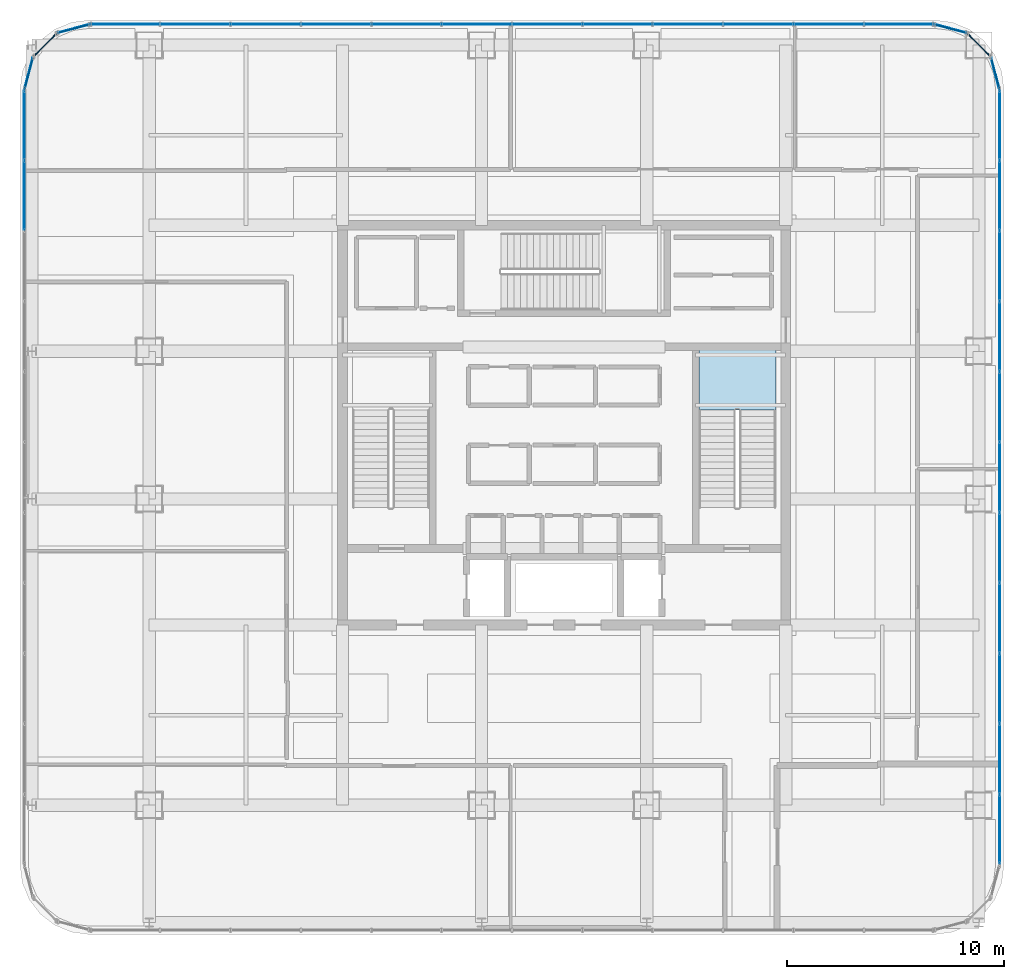
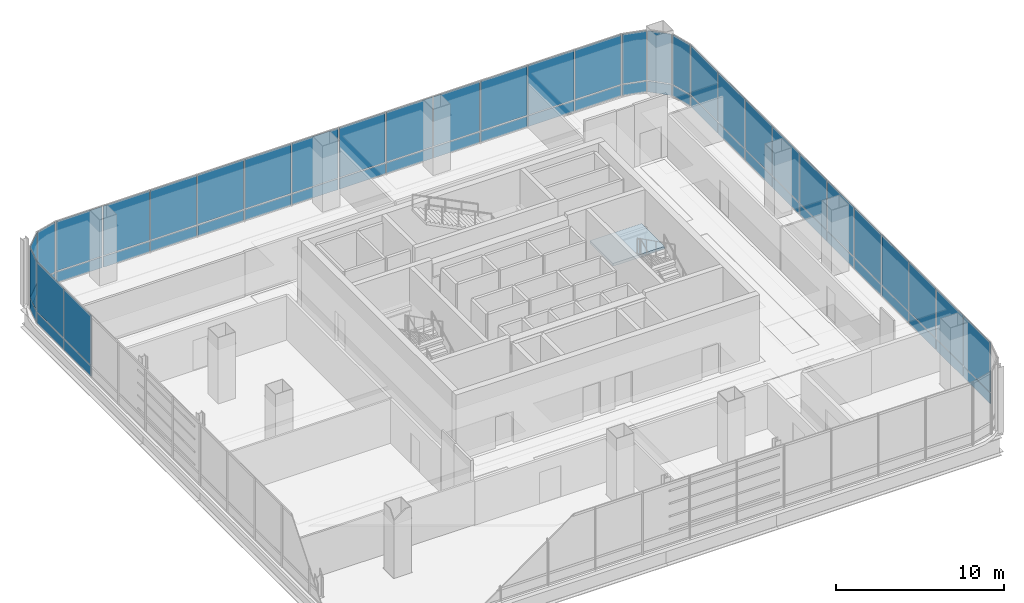
# One storey, part 35 of 45: 62 plates, 1 slab, 10 elements without a shape of their own.
"""IFC4 building model written with IfcOpenShell, lengths in metres."""

from ifc_helpers import new_model, si_unit, direction, frame, origin, origin_2d, place, context, subcontext, project, spatial, polyline, rectangle, outline, extrude, material, layer, layer_set, type_object, element, aggregate, save


model = new_model("IFC4")

# Units and contexts
model_context = context("Model", 3, precision=1e-05, world=origin(), true_north=direction((0.0, 1.0)))
body_context = subcontext(model_context, "Body", "Model", "MODEL_VIEW")
ifc_project = project(units=[si_unit("LENGTHUNIT", "METRE"), si_unit("AREAUNIT", "SQUARE_METRE"), si_unit("VOLUMEUNIT", "CUBIC_METRE"), si_unit("PLANEANGLEUNIT", "RADIAN"), si_unit("MASSUNIT", "GRAM", prefix="KILO")], contexts=[model_context])

# Site, building, storey
site_placement = place(None, origin())
site = spatial("IfcSite", under=ifc_project, at=site_placement, CompositionType="ELEMENT")
building_placement = place(site_placement, origin())
building = spatial("IfcBuilding", under=site, at=building_placement, Name="Punatoya Terracotta Tower", CompositionType="ELEMENT")
storey_placement = place(building_placement, frame((0.0, 0.0, 339.0)))
storey = spatial("IfcBuildingStorey", under=building, at=storey_placement, Name="L80", CompositionType="ELEMENT", Elevation=339.0)

# Curtain wall, plates
ifc_material_1 = material(Name="Aluminium 6063-T6 + Double Low-E Glass", Category="aluminium")
curtain_wall_type = type_object("IfcCurtainWallType", Name="CW-OBS", PredefinedType="NOTDEFINED", material=ifc_material_1)
curtain_wall_1_placement = place(storey_placement, origin())
curtain_wall_1 = element("IfcCurtainWall", 1, at=curtain_wall_1_placement, inside=storey, type_object=curtain_wall_type, Name="L80 Curtain Wall CW-L80-E05-1", PredefinedType="NOTDEFINED")
ifc_material_2 = material(Name="Laminated Observation Low-Iron Glass", Category="glass")
ifc_layer_1 = layer(ifc_material_2, 0.0380859375)
ifc_layer_set_1 = layer_set([ifc_layer_1], Name="Laminated Observation Low-Iron Glass")
plate_type_1 = type_object("IfcPlateType", Name="PLT-GLZ-38", PredefinedType="CURTAIN_PANEL", material=ifc_layer_set_1)
plate_1_placement = place(storey_placement, frame((20.050048828125, -18.615478515625, 0.89013671875), z_axis=(0.0, 0.0, 1.0), x_axis=(0.0, 1.0, 0.0)))
plate_1 = element("IfcPlate", 2, at=plate_1_placement, type_object=plate_type_1, Name="CW-L80-E05-1 Vision Glass Panel 1", PredefinedType="CURTAIN_PANEL", context=body_context, shape_type="SweptSolid", body=[
    extrude(rectangle(XDim=3.158203125, YDim=0.0380859375, at=origin_2d()), origin(), (0.0, 0.0, 1.0), 3.590087890625),
])
plate_2_placement = place(storey_placement, frame((20.050048828125, -15.372314453125, 0.89013671875), z_axis=(0.0, 0.0, 1.0), x_axis=(0.0, 1.0, 0.0)))
plate_2 = element("IfcPlate", 3, at=plate_2_placement, type_object=plate_type_1, Name="CW-L80-E05-1 Vision Glass Panel 2", PredefinedType="CURTAIN_PANEL", context=body_context, shape_type="SweptSolid", body=[
    extrude(rectangle(XDim=3.158203125, YDim=0.0380859375, at=origin_2d()), origin(), (0.0, 0.0, 1.0), 3.590087890625),
])
plate_3_placement = place(storey_placement, frame((20.050048828125, -12.129150390625, 0.89013671875), z_axis=(0.0, 0.0, 1.0), x_axis=(0.0, 1.0, 0.0)))
plate_3 = element("IfcPlate", 4, at=plate_3_placement, type_object=plate_type_1, Name="CW-L80-E05-1 Vision Glass Panel 3", PredefinedType="CURTAIN_PANEL", context=body_context, shape_type="SweptSolid", body=[
    extrude(rectangle(XDim=3.158203125, YDim=0.0380859375, at=origin_2d()), origin(), (0.0, 0.0, 1.0), 3.590087890625),
])
plate_4_placement = place(storey_placement, frame((20.050048828125, -8.885986328125, 0.89013671875), z_axis=(0.0, 0.0, 1.0), x_axis=(0.0, 1.0, 0.0)))
plate_4 = element("IfcPlate", 5, at=plate_4_placement, type_object=plate_type_1, Name="CW-L80-E05-1 Vision Glass Panel 4", PredefinedType="CURTAIN_PANEL", context=body_context, shape_type="SweptSolid", body=[
    extrude(rectangle(XDim=3.158203125, YDim=0.0380859375, at=origin_2d()), origin(), (0.0, 0.0, 1.0), 3.590087890625),
])
plate_5_placement = place(storey_placement, frame((20.050048828125, -5.64306640625, 0.89013671875), z_axis=(0.0, 0.0, 1.0), x_axis=(0.0, 1.0, 0.0)))
plate_5 = element("IfcPlate", 6, at=plate_5_placement, type_object=plate_type_1, Name="CW-L80-E05-1 Vision Glass Panel 5", PredefinedType="CURTAIN_PANEL", context=body_context, shape_type="SweptSolid", body=[
    extrude(rectangle(XDim=3.158203125, YDim=0.0380859375, at=origin_2d()), origin(), (0.0, 0.0, 1.0), 3.590087890625),
])
plate_6_placement = place(storey_placement, frame((20.050048828125, -2.39990234375, 0.89013671875), z_axis=(0.0, 0.0, 1.0), x_axis=(0.0, 1.0, 0.0)))
plate_6 = element("IfcPlate", 7, at=plate_6_placement, type_object=plate_type_1, Name="CW-L80-E05-1 Vision Glass Panel 6", PredefinedType="CURTAIN_PANEL", context=body_context, shape_type="SweptSolid", body=[
    extrude(rectangle(XDim=3.158203125, YDim=0.0380859375, at=origin_2d()), origin(), (0.0, 0.0, 1.0), 3.590087890625),
])
plate_7_placement = place(storey_placement, frame((20.050048828125, 0.843017578125, 0.89013671875), z_axis=(0.0, 0.0, 1.0), x_axis=(0.0, 1.0, 0.0)))
plate_7 = element("IfcPlate", 8, at=plate_7_placement, type_object=plate_type_1, Name="CW-L80-E05-1 Vision Glass Panel 7", PredefinedType="CURTAIN_PANEL", context=body_context, shape_type="SweptSolid", body=[
    extrude(rectangle(XDim=3.158203125, YDim=0.0380859375, at=origin_2d()), origin(), (0.0, 0.0, 1.0), 3.590087890625),
])
plate_8_placement = place(storey_placement, frame((20.050048828125, 4.086181640625, 0.89013671875), z_axis=(0.0, 0.0, 1.0), x_axis=(0.0, 1.0, 0.0)))
plate_8 = element("IfcPlate", 9, at=plate_8_placement, type_object=plate_type_1, Name="CW-L80-E05-1 Vision Glass Panel 8", PredefinedType="CURTAIN_PANEL", context=body_context, shape_type="SweptSolid", body=[
    extrude(rectangle(XDim=3.158203125, YDim=0.0380859375, at=origin_2d()), origin(), (0.0, 0.0, 1.0), 3.590087890625),
])
plate_9_placement = place(storey_placement, frame((20.050048828125, 7.3291015625, 0.89013671875), z_axis=(0.0, 0.0, 1.0), x_axis=(0.0, 1.0, 0.0)))
plate_9 = element("IfcPlate", 10, at=plate_9_placement, type_object=plate_type_1, Name="CW-L80-E05-1 Vision Glass Panel 9", PredefinedType="CURTAIN_PANEL", context=body_context, shape_type="SweptSolid", body=[
    extrude(rectangle(XDim=3.158203125, YDim=0.0380859375, at=origin_2d()), origin(), (0.0, 0.0, 1.0), 3.590087890625),
])
plate_10_placement = place(storey_placement, frame((20.050048828125, 10.572265625, 0.89013671875), z_axis=(0.0, 0.0, 1.0), x_axis=(0.0, 1.0, 0.0)))
plate_10 = element("IfcPlate", 11, at=plate_10_placement, type_object=plate_type_1, Name="CW-L80-E05-1 Vision Glass Panel 10", PredefinedType="CURTAIN_PANEL", context=body_context, shape_type="SweptSolid", body=[
    extrude(rectangle(XDim=3.158203125, YDim=0.0380859375, at=origin_2d()), origin(), (0.0, 0.0, 1.0), 3.590087890625),
])
plate_11_placement = place(storey_placement, frame((20.050048828125, 13.8154296875, 0.89013671875), z_axis=(0.0, 0.0, 1.0), x_axis=(0.0, 1.0, 0.0)))
plate_11 = element("IfcPlate", 12, at=plate_11_placement, type_object=plate_type_1, Name="CW-L80-E05-1 Vision Glass Panel 11", PredefinedType="CURTAIN_PANEL", context=body_context, shape_type="SweptSolid", body=[
    extrude(rectangle(XDim=3.158203125, YDim=0.0380859375, at=origin_2d()), origin(), (0.0, 0.0, 1.0), 3.590087890625),
])

# Curtain wall, plate
curtain_wall_2_placement = place(storey_placement, origin())
curtain_wall_2 = element("IfcCurtainWall", 13, at=curtain_wall_2_placement, inside=storey, type_object=curtain_wall_type, Name="L80 Curtain Wall CW-L80-CRN06", PredefinedType="NOTDEFINED")
plate_12_placement = place(storey_placement, frame((19.848388671875, 16.193115234375, 0.89013671875), z_axis=(0.0, 0.0, 1.0), x_axis=(-0.257741620719, 0.966213877436, 0.0)))
plate_12 = element("IfcPlate", 14, at=plate_12_placement, type_object=plate_type_1, Name="CW-L80-CRN06 Vision Glass Panel 1", PredefinedType="CURTAIN_PANEL", context=body_context, shape_type="SweptSolid", body=[
    extrude(rectangle(XDim=1.47998046875, YDim=0.0380859375, at=origin_2d()), origin(), (0.0, 0.0, 1.0), 3.590087890625),
])

curtain_wall_3_placement = place(storey_placement, origin())
curtain_wall_3 = element("IfcCurtainWall", 15, at=curtain_wall_3_placement, inside=storey, type_object=curtain_wall_type, Name="L80 Curtain Wall CW-L80-CRN07", PredefinedType="NOTDEFINED")
plate_13_placement = place(storey_placement, frame((19.097900390625, 17.497802734375, 0.89013671875), z_axis=(0.0, 0.0, 1.0), x_axis=(-0.707106781187, 0.707106781187, 0.0)))
plate_13 = element("IfcPlate", 16, at=plate_13_placement, type_object=plate_type_1, Name="CW-L80-CRN07 Vision Glass Panel 1", PredefinedType="CURTAIN_PANEL", context=body_context, shape_type="SweptSolid", body=[
    extrude(rectangle(XDim=1.467041015625, YDim=0.0380859375, at=origin_2d()), origin(), (0.0, 0.0, 1.0), 3.590087890625),
])

curtain_wall_4_placement = place(storey_placement, origin())
curtain_wall_4 = element("IfcCurtainWall", 17, at=curtain_wall_4_placement, inside=storey, type_object=curtain_wall_type, Name="L80 Curtain Wall CW-L80-CRN08", PredefinedType="NOTDEFINED")
plate_14_placement = place(storey_placement, frame((17.79296875, 18.248291015625, 0.89013671875), z_axis=(0.0, 0.0, 1.0), x_axis=(-0.966213877436, 0.257741620719, 0.0)))
plate_14 = element("IfcPlate", 18, at=plate_14_placement, type_object=plate_type_1, Name="CW-L80-CRN08 Vision Glass Panel 1", PredefinedType="CURTAIN_PANEL", context=body_context, shape_type="SweptSolid", body=[
    extrude(rectangle(XDim=1.47998046875, YDim=0.0380859375, at=origin_2d()), origin(), (0.0, 0.0, 1.0), 3.590087890625),
])

# Curtain wall, plates
curtain_wall_5_placement = place(storey_placement, origin())
curtain_wall_5 = element("IfcCurtainWall", 19, at=curtain_wall_5_placement, inside=storey, type_object=curtain_wall_type, Name="L80 Curtain Wall CW-L80-N09-1", PredefinedType="NOTDEFINED")
plate_15_placement = place(storey_placement, frame((15.417236328125, 18.449951171875, 0.89013671875), z_axis=(0.0, 0.0, 1.0), x_axis=(-1.0, 0.0, 0.0)))
plate_15 = element("IfcPlate", 20, at=plate_15_placement, type_object=plate_type_1, Name="CW-L80-N09-1 Vision Glass Panel 1", PredefinedType="CURTAIN_PANEL", context=body_context, shape_type="SweptSolid", body=[
    extrude(rectangle(XDim=3.154541015625, YDim=0.0380859375, at=origin_2d()), origin(), (0.0, 0.0, 1.0), 3.590087890625),
])
plate_16_placement = place(storey_placement, frame((12.177734375, 18.449951171875, 0.89013671875), z_axis=(0.0, 0.0, 1.0), x_axis=(-1.0, 0.0, 0.0)))
plate_16 = element("IfcPlate", 21, at=plate_16_placement, type_object=plate_type_1, Name="CW-L80-N09-1 Vision Glass Panel 2", PredefinedType="CURTAIN_PANEL", context=body_context, shape_type="SweptSolid", body=[
    extrude(rectangle(XDim=3.154541015625, YDim=0.0380859375, at=origin_2d()), origin(), (0.0, 0.0, 1.0), 3.590087890625),
])
plate_17_placement = place(storey_placement, frame((8.938232421875, 18.449951171875, 0.89013671875), z_axis=(0.0, 0.0, 1.0), x_axis=(-1.0, 0.0, 0.0)))
plate_17 = element("IfcPlate", 22, at=plate_17_placement, type_object=plate_type_1, Name="CW-L80-N09-1 Vision Glass Panel 3", PredefinedType="CURTAIN_PANEL", context=body_context, shape_type="SweptSolid", body=[
    extrude(rectangle(XDim=3.154541015625, YDim=0.0380859375, at=origin_2d()), origin(), (0.0, 0.0, 1.0), 3.590087890625),
])
plate_18_placement = place(storey_placement, frame((5.69873046875, 18.449951171875, 0.89013671875), z_axis=(0.0, 0.0, 1.0), x_axis=(-1.0, 0.0, 0.0)))
plate_18 = element("IfcPlate", 23, at=plate_18_placement, type_object=plate_type_1, Name="CW-L80-N09-1 Vision Glass Panel 4", PredefinedType="CURTAIN_PANEL", context=body_context, shape_type="SweptSolid", body=[
    extrude(rectangle(XDim=3.154541015625, YDim=0.0380859375, at=origin_2d()), origin(), (0.0, 0.0, 1.0), 3.590087890625),
])
plate_19_placement = place(storey_placement, frame((2.459228515625, 18.449951171875, 0.89013671875), z_axis=(0.0, 0.0, 1.0), x_axis=(-1.0, 0.0, 0.0)))
plate_19 = element("IfcPlate", 24, at=plate_19_placement, type_object=plate_type_1, Name="CW-L80-N09-1 Vision Glass Panel 5", PredefinedType="CURTAIN_PANEL", context=body_context, shape_type="SweptSolid", body=[
    extrude(rectangle(XDim=3.154541015625, YDim=0.0380859375, at=origin_2d()), origin(), (0.0, 0.0, 1.0), 3.590087890625),
])
plate_20_placement = place(storey_placement, frame((-0.7802734375, 18.449951171875, 0.89013671875), z_axis=(0.0, 0.0, 1.0), x_axis=(-1.0, 0.0, 0.0)))
plate_20 = element("IfcPlate", 25, at=plate_20_placement, type_object=plate_type_1, Name="CW-L80-N09-1 Vision Glass Panel 6", PredefinedType="CURTAIN_PANEL", context=body_context, shape_type="SweptSolid", body=[
    extrude(rectangle(XDim=3.154541015625, YDim=0.0380859375, at=origin_2d()), origin(), (0.0, 0.0, 1.0), 3.590087890625),
])
plate_21_placement = place(storey_placement, frame((-4.019775390625, 18.449951171875, 0.89013671875), z_axis=(0.0, 0.0, 1.0), x_axis=(-1.0, 0.0, 0.0)))
plate_21 = element("IfcPlate", 26, at=plate_21_placement, type_object=plate_type_1, Name="CW-L80-N09-1 Vision Glass Panel 7", PredefinedType="CURTAIN_PANEL", context=body_context, shape_type="SweptSolid", body=[
    extrude(rectangle(XDim=3.154541015625, YDim=0.0380859375, at=origin_2d()), origin(), (0.0, 0.0, 1.0), 3.590087890625),
])
plate_22_placement = place(storey_placement, frame((-7.25927734375, 18.449951171875, 0.89013671875), z_axis=(0.0, 0.0, 1.0), x_axis=(-1.0, 0.0, 0.0)))
plate_22 = element("IfcPlate", 27, at=plate_22_placement, type_object=plate_type_1, Name="CW-L80-N09-1 Vision Glass Panel 8", PredefinedType="CURTAIN_PANEL", context=body_context, shape_type="SweptSolid", body=[
    extrude(rectangle(XDim=3.154541015625, YDim=0.0380859375, at=origin_2d()), origin(), (0.0, 0.0, 1.0), 3.590087890625),
])
plate_23_placement = place(storey_placement, frame((-10.498779296875, 18.449951171875, 0.89013671875), z_axis=(0.0, 0.0, 1.0), x_axis=(-1.0, 0.0, 0.0)))
plate_23 = element("IfcPlate", 28, at=plate_23_placement, type_object=plate_type_1, Name="CW-L80-N09-1 Vision Glass Panel 9", PredefinedType="CURTAIN_PANEL", context=body_context, shape_type="SweptSolid", body=[
    extrude(rectangle(XDim=3.154541015625, YDim=0.0380859375, at=origin_2d()), origin(), (0.0, 0.0, 1.0), 3.590087890625),
])
plate_24_placement = place(storey_placement, frame((-13.73828125, 18.449951171875, 0.89013671875), z_axis=(0.0, 0.0, 1.0), x_axis=(-1.0, 0.0, 0.0)))
plate_24 = element("IfcPlate", 29, at=plate_24_placement, type_object=plate_type_1, Name="CW-L80-N09-1 Vision Glass Panel 10", PredefinedType="CURTAIN_PANEL", context=body_context, shape_type="SweptSolid", body=[
    extrude(rectangle(XDim=3.154541015625, YDim=0.0380859375, at=origin_2d()), origin(), (0.0, 0.0, 1.0), 3.590087890625),
])
plate_25_placement = place(storey_placement, frame((-16.977783203125, 18.449951171875, 0.89013671875), z_axis=(0.0, 0.0, 1.0), x_axis=(-1.0, 0.0, 0.0)))
plate_25 = element("IfcPlate", 30, at=plate_25_placement, type_object=plate_type_1, Name="CW-L80-N09-1 Vision Glass Panel 11", PredefinedType="CURTAIN_PANEL", context=body_context, shape_type="SweptSolid", body=[
    extrude(rectangle(XDim=3.154541015625, YDim=0.0380859375, at=origin_2d()), origin(), (0.0, 0.0, 1.0), 3.590087890625),
])
plate_26_placement = place(storey_placement, frame((-20.21728515625, 18.449951171875, 0.89013671875), z_axis=(0.0, 0.0, 1.0), x_axis=(-1.0, 0.0, 0.0)))
plate_26 = element("IfcPlate", 31, at=plate_26_placement, type_object=plate_type_1, Name="CW-L80-N09-1 Vision Glass Panel 12", PredefinedType="CURTAIN_PANEL", context=body_context, shape_type="SweptSolid", body=[
    extrude(rectangle(XDim=3.154541015625, YDim=0.0380859375, at=origin_2d()), origin(), (0.0, 0.0, 1.0), 3.590087890625),
])

# Curtain wall, plate
curtain_wall_6_placement = place(storey_placement, origin())
curtain_wall_6 = element("IfcCurtainWall", 32, at=curtain_wall_6_placement, inside=storey, type_object=curtain_wall_type, Name="L80 Curtain Wall CW-L80-CRN10", PredefinedType="NOTDEFINED")
plate_27_placement = place(storey_placement, frame((-22.593017578125, 18.248291015625, 0.89013671875), z_axis=(0.0, 0.0, 1.0), x_axis=(-0.966213877436, -0.257741620719, 0.0)))
plate_27 = element("IfcPlate", 33, at=plate_27_placement, type_object=plate_type_1, Name="CW-L80-CRN10 Vision Glass Panel 1", PredefinedType="CURTAIN_PANEL", context=body_context, shape_type="SweptSolid", body=[
    extrude(rectangle(XDim=1.47998046875, YDim=0.0380859375, at=origin_2d()), origin(), (0.0, 0.0, 1.0), 3.590087890625),
])

curtain_wall_7_placement = place(storey_placement, origin())
curtain_wall_7 = element("IfcCurtainWall", 34, at=curtain_wall_7_placement, inside=storey, type_object=curtain_wall_type, Name="L80 Curtain Wall CW-L80-CRN11", PredefinedType="NOTDEFINED")
plate_28_placement = place(storey_placement, frame((-23.89794921875, 17.497802734375, 0.89013671875), z_axis=(0.0, 0.0, 1.0), x_axis=(-0.707106781187, -0.707106781187, 0.0)))
plate_28 = element("IfcPlate", 35, at=plate_28_placement, type_object=plate_type_1, Name="CW-L80-CRN11 Vision Glass Panel 1", PredefinedType="CURTAIN_PANEL", context=body_context, shape_type="SweptSolid", body=[
    extrude(rectangle(XDim=1.467041015625, YDim=0.0380859375, at=origin_2d()), origin(), (0.0, 0.0, 1.0), 3.590087890625),
])

curtain_wall_8_placement = place(storey_placement, origin())
curtain_wall_8 = element("IfcCurtainWall", 36, at=curtain_wall_8_placement, inside=storey, type_object=curtain_wall_type, Name="L80 Curtain Wall CW-L80-CRN12", PredefinedType="NOTDEFINED")
plate_29_placement = place(storey_placement, frame((-24.648193359375, 16.193115234375, 0.89013671875), z_axis=(0.0, 0.0, 1.0), x_axis=(-0.257741620719, -0.966213877436, 0.0)))
plate_29 = element("IfcPlate", 37, at=plate_29_placement, type_object=plate_type_1, Name="CW-L80-CRN12 Vision Glass Panel 1", PredefinedType="CURTAIN_PANEL", context=body_context, shape_type="SweptSolid", body=[
    extrude(rectangle(XDim=1.47998046875, YDim=0.0380859375, at=origin_2d()), origin(), (0.0, 0.0, 1.0), 3.590087890625),
])

# Curtain wall, plates
curtain_wall_9_placement = place(storey_placement, origin())
curtain_wall_9 = element("IfcCurtainWall", 38, at=curtain_wall_9_placement, inside=storey, type_object=curtain_wall_type, Name="L80 Curtain Wall CW-L80-W13-1", PredefinedType="NOTDEFINED")
plate_30_placement = place(storey_placement, frame((-24.85009765625, 13.8154296875, 0.89013671875), z_axis=(0.0, 0.0, 1.0), x_axis=(0.0, -1.0, 0.0)))
plate_30 = element("IfcPlate", 39, at=plate_30_placement, type_object=plate_type_1, Name="CW-L80-W13-1 Vision Glass Panel 1", PredefinedType="CURTAIN_PANEL", context=body_context, shape_type="SweptSolid", body=[
    extrude(rectangle(XDim=3.158203125, YDim=0.0380859375, at=origin_2d()), origin(), (0.0, 0.0, 1.0), 3.590087890625),
])
plate_31_placement = place(storey_placement, frame((-24.85009765625, 10.572265625, 0.89013671875), z_axis=(0.0, 0.0, 1.0), x_axis=(0.0, -1.0, 0.0)))
plate_31 = element("IfcPlate", 40, at=plate_31_placement, type_object=plate_type_1, Name="CW-L80-W13-1 Vision Glass Panel 2", PredefinedType="CURTAIN_PANEL", context=body_context, shape_type="SweptSolid", body=[
    extrude(rectangle(XDim=3.158203125, YDim=0.0380859375, at=origin_2d()), origin(), (0.0, 0.0, 1.0), 3.590087890625),
])

# Plate
ifc_material_3 = material(Name="Insulated Terracotta-Backed Spandrel Panel", Category="masonry")
ifc_layer_2 = layer(ifc_material_3, 0.044921875)
ifc_layer_set_2 = layer_set([ifc_layer_2], Name="Insulated Terracotta-Backed Spandrel Panel")
plate_type_2 = type_object("IfcPlateType", Name="PLT-SPN-45", PredefinedType="CURTAIN_PANEL", material=ifc_layer_set_2)
plate_32_placement = place(storey_placement, frame((20.050048828125, -18.615478515625, 0.0400390625), z_axis=(0.0, 0.0, 1.0), x_axis=(0.0, 1.0, 0.0)))
plate_32 = element("IfcPlate", 41, at=plate_32_placement, type_object=plate_type_2, Name="CW-L80-E05-1 Terracotta Spandrel Panel 1", PredefinedType="CURTAIN_PANEL", context=body_context, shape_type="SweptSolid", body=[
    extrude(rectangle(XDim=3.158203125, YDim=0.044921875, at=origin_2d()), origin(), (0.0, 0.0, 1.0), 0.77490234375),
])

plate_33_placement = place(storey_placement, frame((20.050048828125, -15.372314453125, 0.0400390625), z_axis=(0.0, 0.0, 1.0), x_axis=(0.0, 1.0, 0.0)))
plate_33 = element("IfcPlate", 42, at=plate_33_placement, type_object=plate_type_2, Name="CW-L80-E05-1 Terracotta Spandrel Panel 2", PredefinedType="CURTAIN_PANEL", context=body_context, shape_type="SweptSolid", body=[
    extrude(rectangle(XDim=3.158203125, YDim=0.044921875, at=origin_2d()), origin(), (0.0, 0.0, 1.0), 0.77490234375),
])

plate_34_placement = place(storey_placement, frame((20.050048828125, -12.129150390625, 0.0400390625), z_axis=(0.0, 0.0, 1.0), x_axis=(0.0, 1.0, 0.0)))
plate_34 = element("IfcPlate", 43, at=plate_34_placement, type_object=plate_type_2, Name="CW-L80-E05-1 Terracotta Spandrel Panel 3", PredefinedType="CURTAIN_PANEL", context=body_context, shape_type="SweptSolid", body=[
    extrude(rectangle(XDim=3.158203125, YDim=0.044921875, at=origin_2d()), origin(), (0.0, 0.0, 1.0), 0.77490234375),
])

plate_35_placement = place(storey_placement, frame((20.050048828125, -8.885986328125, 0.0400390625), z_axis=(0.0, 0.0, 1.0), x_axis=(0.0, 1.0, 0.0)))
plate_35 = element("IfcPlate", 44, at=plate_35_placement, type_object=plate_type_2, Name="CW-L80-E05-1 Terracotta Spandrel Panel 4", PredefinedType="CURTAIN_PANEL", context=body_context, shape_type="SweptSolid", body=[
    extrude(rectangle(XDim=3.158203125, YDim=0.044921875, at=origin_2d()), origin(), (0.0, 0.0, 1.0), 0.77490234375),
])

plate_36_placement = place(storey_placement, frame((20.050048828125, -5.64306640625, 0.0400390625), z_axis=(0.0, 0.0, 1.0), x_axis=(0.0, 1.0, 0.0)))
plate_36 = element("IfcPlate", 45, at=plate_36_placement, type_object=plate_type_2, Name="CW-L80-E05-1 Terracotta Spandrel Panel 5", PredefinedType="CURTAIN_PANEL", context=body_context, shape_type="SweptSolid", body=[
    extrude(rectangle(XDim=3.158203125, YDim=0.044921875, at=origin_2d()), origin(), (0.0, 0.0, 1.0), 0.77490234375),
])

plate_37_placement = place(storey_placement, frame((20.050048828125, -2.39990234375, 0.0400390625), z_axis=(0.0, 0.0, 1.0), x_axis=(0.0, 1.0, 0.0)))
plate_37 = element("IfcPlate", 46, at=plate_37_placement, type_object=plate_type_2, Name="CW-L80-E05-1 Terracotta Spandrel Panel 6", PredefinedType="CURTAIN_PANEL", context=body_context, shape_type="SweptSolid", body=[
    extrude(rectangle(XDim=3.158203125, YDim=0.044921875, at=origin_2d()), origin(), (0.0, 0.0, 1.0), 0.77490234375),
])

plate_38_placement = place(storey_placement, frame((20.050048828125, 0.843017578125, 0.0400390625), z_axis=(0.0, 0.0, 1.0), x_axis=(0.0, 1.0, 0.0)))
plate_38 = element("IfcPlate", 47, at=plate_38_placement, type_object=plate_type_2, Name="CW-L80-E05-1 Terracotta Spandrel Panel 7", PredefinedType="CURTAIN_PANEL", context=body_context, shape_type="SweptSolid", body=[
    extrude(rectangle(XDim=3.158203125, YDim=0.044921875, at=origin_2d()), origin(), (0.0, 0.0, 1.0), 0.77490234375),
])

plate_39_placement = place(storey_placement, frame((20.050048828125, 4.086181640625, 0.0400390625), z_axis=(0.0, 0.0, 1.0), x_axis=(0.0, 1.0, 0.0)))
plate_39 = element("IfcPlate", 48, at=plate_39_placement, type_object=plate_type_2, Name="CW-L80-E05-1 Terracotta Spandrel Panel 8", PredefinedType="CURTAIN_PANEL", context=body_context, shape_type="SweptSolid", body=[
    extrude(rectangle(XDim=3.158203125, YDim=0.044921875, at=origin_2d()), origin(), (0.0, 0.0, 1.0), 0.77490234375),
])

plate_40_placement = place(storey_placement, frame((20.050048828125, 7.3291015625, 0.0400390625), z_axis=(0.0, 0.0, 1.0), x_axis=(0.0, 1.0, 0.0)))
plate_40 = element("IfcPlate", 49, at=plate_40_placement, type_object=plate_type_2, Name="CW-L80-E05-1 Terracotta Spandrel Panel 9", PredefinedType="CURTAIN_PANEL", context=body_context, shape_type="SweptSolid", body=[
    extrude(rectangle(XDim=3.158203125, YDim=0.044921875, at=origin_2d()), origin(), (0.0, 0.0, 1.0), 0.77490234375),
])

plate_41_placement = place(storey_placement, frame((20.050048828125, 10.572265625, 0.0400390625), z_axis=(0.0, 0.0, 1.0), x_axis=(0.0, 1.0, 0.0)))
plate_41 = element("IfcPlate", 50, at=plate_41_placement, type_object=plate_type_2, Name="CW-L80-E05-1 Terracotta Spandrel Panel 10", PredefinedType="CURTAIN_PANEL", context=body_context, shape_type="SweptSolid", body=[
    extrude(rectangle(XDim=3.158203125, YDim=0.044921875, at=origin_2d()), origin(), (0.0, 0.0, 1.0), 0.77490234375),
])

plate_42_placement = place(storey_placement, frame((20.050048828125, 13.8154296875, 0.0400390625), z_axis=(0.0, 0.0, 1.0), x_axis=(0.0, 1.0, 0.0)))
plate_42 = element("IfcPlate", 51, at=plate_42_placement, type_object=plate_type_2, Name="CW-L80-E05-1 Terracotta Spandrel Panel 11", PredefinedType="CURTAIN_PANEL", context=body_context, shape_type="SweptSolid", body=[
    extrude(rectangle(XDim=3.158203125, YDim=0.044921875, at=origin_2d()), origin(), (0.0, 0.0, 1.0), 0.77490234375),
])

aggregate(curtain_wall_1, [plate_32, plate_1, plate_33, plate_2, plate_34, plate_3, plate_35, plate_4, plate_36, plate_5, plate_37, plate_6, plate_38, plate_7, plate_39, plate_8, plate_40, plate_9, plate_41, plate_10, plate_42, plate_11])

plate_43_placement = place(storey_placement, frame((19.848388671875, 16.193115234375, 0.0400390625), z_axis=(0.0, 0.0, 1.0), x_axis=(-0.257741620719, 0.966213877436, 0.0)))
plate_43 = element("IfcPlate", 52, at=plate_43_placement, type_object=plate_type_2, Name="CW-L80-CRN06 Terracotta Spandrel Panel 1", PredefinedType="CURTAIN_PANEL", context=body_context, shape_type="SweptSolid", body=[
    extrude(rectangle(XDim=1.47998046875, YDim=0.044921875, at=origin_2d()), origin(), (0.0, 0.0, 1.0), 0.77490234375),
])

aggregate(curtain_wall_2, [plate_43, plate_12])

plate_44_placement = place(storey_placement, frame((19.097900390625, 17.497802734375, 0.0400390625), z_axis=(0.0, 0.0, 1.0), x_axis=(-0.707106781187, 0.707106781187, 0.0)))
plate_44 = element("IfcPlate", 53, at=plate_44_placement, type_object=plate_type_2, Name="CW-L80-CRN07 Terracotta Spandrel Panel 1", PredefinedType="CURTAIN_PANEL", context=body_context, shape_type="SweptSolid", body=[
    extrude(rectangle(XDim=1.467041015625, YDim=0.044921875, at=origin_2d()), origin(), (0.0, 0.0, 1.0), 0.77490234375),
])

aggregate(curtain_wall_3, [plate_44, plate_13])

plate_45_placement = place(storey_placement, frame((17.79296875, 18.248291015625, 0.0400390625), z_axis=(0.0, 0.0, 1.0), x_axis=(-0.966213877436, 0.257741620719, 0.0)))
plate_45 = element("IfcPlate", 54, at=plate_45_placement, type_object=plate_type_2, Name="CW-L80-CRN08 Terracotta Spandrel Panel 1", PredefinedType="CURTAIN_PANEL", context=body_context, shape_type="SweptSolid", body=[
    extrude(rectangle(XDim=1.47998046875, YDim=0.044921875, at=origin_2d()), origin(), (0.0, 0.0, 1.0), 0.77490234375),
])

aggregate(curtain_wall_4, [plate_45, plate_14])

plate_46_placement = place(storey_placement, frame((15.417236328125, 18.449951171875, 0.0400390625), z_axis=(0.0, 0.0, 1.0), x_axis=(-1.0, 0.0, 0.0)))
plate_46 = element("IfcPlate", 55, at=plate_46_placement, type_object=plate_type_2, Name="CW-L80-N09-1 Terracotta Spandrel Panel 1", PredefinedType="CURTAIN_PANEL", context=body_context, shape_type="SweptSolid", body=[
    extrude(rectangle(XDim=3.154541015625, YDim=0.044921875, at=origin_2d()), origin(), (0.0, 0.0, 1.0), 0.77490234375),
])

plate_47_placement = place(storey_placement, frame((12.177734375, 18.449951171875, 0.0400390625), z_axis=(0.0, 0.0, 1.0), x_axis=(-1.0, 0.0, 0.0)))
plate_47 = element("IfcPlate", 56, at=plate_47_placement, type_object=plate_type_2, Name="CW-L80-N09-1 Terracotta Spandrel Panel 2", PredefinedType="CURTAIN_PANEL", context=body_context, shape_type="SweptSolid", body=[
    extrude(rectangle(XDim=3.154541015625, YDim=0.044921875, at=origin_2d()), origin(), (0.0, 0.0, 1.0), 0.77490234375),
])

plate_48_placement = place(storey_placement, frame((8.938232421875, 18.449951171875, 0.0400390625), z_axis=(0.0, 0.0, 1.0), x_axis=(-1.0, 0.0, 0.0)))
plate_48 = element("IfcPlate", 57, at=plate_48_placement, type_object=plate_type_2, Name="CW-L80-N09-1 Terracotta Spandrel Panel 3", PredefinedType="CURTAIN_PANEL", context=body_context, shape_type="SweptSolid", body=[
    extrude(rectangle(XDim=3.154541015625, YDim=0.044921875, at=origin_2d()), origin(), (0.0, 0.0, 1.0), 0.77490234375),
])

plate_49_placement = place(storey_placement, frame((5.69873046875, 18.449951171875, 0.0400390625), z_axis=(0.0, 0.0, 1.0), x_axis=(-1.0, 0.0, 0.0)))
plate_49 = element("IfcPlate", 58, at=plate_49_placement, type_object=plate_type_2, Name="CW-L80-N09-1 Terracotta Spandrel Panel 4", PredefinedType="CURTAIN_PANEL", context=body_context, shape_type="SweptSolid", body=[
    extrude(rectangle(XDim=3.154541015625, YDim=0.044921875, at=origin_2d()), origin(), (0.0, 0.0, 1.0), 0.77490234375),
])

plate_50_placement = place(storey_placement, frame((2.459228515625, 18.449951171875, 0.0400390625), z_axis=(0.0, 0.0, 1.0), x_axis=(-1.0, 0.0, 0.0)))
plate_50 = element("IfcPlate", 59, at=plate_50_placement, type_object=plate_type_2, Name="CW-L80-N09-1 Terracotta Spandrel Panel 5", PredefinedType="CURTAIN_PANEL", context=body_context, shape_type="SweptSolid", body=[
    extrude(rectangle(XDim=3.154541015625, YDim=0.044921875, at=origin_2d()), origin(), (0.0, 0.0, 1.0), 0.77490234375),
])

plate_51_placement = place(storey_placement, frame((-0.7802734375, 18.449951171875, 0.0400390625), z_axis=(0.0, 0.0, 1.0), x_axis=(-1.0, 0.0, 0.0)))
plate_51 = element("IfcPlate", 60, at=plate_51_placement, type_object=plate_type_2, Name="CW-L80-N09-1 Terracotta Spandrel Panel 6", PredefinedType="CURTAIN_PANEL", context=body_context, shape_type="SweptSolid", body=[
    extrude(rectangle(XDim=3.154541015625, YDim=0.044921875, at=origin_2d()), origin(), (0.0, 0.0, 1.0), 0.77490234375),
])

plate_52_placement = place(storey_placement, frame((-4.019775390625, 18.449951171875, 0.0400390625), z_axis=(0.0, 0.0, 1.0), x_axis=(-1.0, 0.0, 0.0)))
plate_52 = element("IfcPlate", 61, at=plate_52_placement, type_object=plate_type_2, Name="CW-L80-N09-1 Terracotta Spandrel Panel 7", PredefinedType="CURTAIN_PANEL", context=body_context, shape_type="SweptSolid", body=[
    extrude(rectangle(XDim=3.154541015625, YDim=0.044921875, at=origin_2d()), origin(), (0.0, 0.0, 1.0), 0.77490234375),
])

plate_53_placement = place(storey_placement, frame((-7.25927734375, 18.449951171875, 0.0400390625), z_axis=(0.0, 0.0, 1.0), x_axis=(-1.0, 0.0, 0.0)))
plate_53 = element("IfcPlate", 62, at=plate_53_placement, type_object=plate_type_2, Name="CW-L80-N09-1 Terracotta Spandrel Panel 8", PredefinedType="CURTAIN_PANEL", context=body_context, shape_type="SweptSolid", body=[
    extrude(rectangle(XDim=3.154541015625, YDim=0.044921875, at=origin_2d()), origin(), (0.0, 0.0, 1.0), 0.77490234375),
])

plate_54_placement = place(storey_placement, frame((-10.498779296875, 18.449951171875, 0.0400390625), z_axis=(0.0, 0.0, 1.0), x_axis=(-1.0, 0.0, 0.0)))
plate_54 = element("IfcPlate", 63, at=plate_54_placement, type_object=plate_type_2, Name="CW-L80-N09-1 Terracotta Spandrel Panel 9", PredefinedType="CURTAIN_PANEL", context=body_context, shape_type="SweptSolid", body=[
    extrude(rectangle(XDim=3.154541015625, YDim=0.044921875, at=origin_2d()), origin(), (0.0, 0.0, 1.0), 0.77490234375),
])

plate_55_placement = place(storey_placement, frame((-13.73828125, 18.449951171875, 0.0400390625), z_axis=(0.0, 0.0, 1.0), x_axis=(-1.0, 0.0, 0.0)))
plate_55 = element("IfcPlate", 64, at=plate_55_placement, type_object=plate_type_2, Name="CW-L80-N09-1 Terracotta Spandrel Panel 10", PredefinedType="CURTAIN_PANEL", context=body_context, shape_type="SweptSolid", body=[
    extrude(rectangle(XDim=3.154541015625, YDim=0.044921875, at=origin_2d()), origin(), (0.0, 0.0, 1.0), 0.77490234375),
])

plate_56_placement = place(storey_placement, frame((-16.977783203125, 18.449951171875, 0.0400390625), z_axis=(0.0, 0.0, 1.0), x_axis=(-1.0, 0.0, 0.0)))
plate_56 = element("IfcPlate", 65, at=plate_56_placement, type_object=plate_type_2, Name="CW-L80-N09-1 Terracotta Spandrel Panel 11", PredefinedType="CURTAIN_PANEL", context=body_context, shape_type="SweptSolid", body=[
    extrude(rectangle(XDim=3.154541015625, YDim=0.044921875, at=origin_2d()), origin(), (0.0, 0.0, 1.0), 0.77490234375),
])

plate_57_placement = place(storey_placement, frame((-20.21728515625, 18.449951171875, 0.0400390625), z_axis=(0.0, 0.0, 1.0), x_axis=(-1.0, 0.0, 0.0)))
plate_57 = element("IfcPlate", 66, at=plate_57_placement, type_object=plate_type_2, Name="CW-L80-N09-1 Terracotta Spandrel Panel 12", PredefinedType="CURTAIN_PANEL", context=body_context, shape_type="SweptSolid", body=[
    extrude(rectangle(XDim=3.154541015625, YDim=0.044921875, at=origin_2d()), origin(), (0.0, 0.0, 1.0), 0.77490234375),
])

aggregate(curtain_wall_5, [plate_46, plate_15, plate_47, plate_16, plate_48, plate_17, plate_49, plate_18, plate_50, plate_19, plate_51, plate_20, plate_52, plate_21, plate_53, plate_22, plate_54, plate_23, plate_55, plate_24, plate_56, plate_25, plate_57, plate_26])

plate_58_placement = place(storey_placement, frame((-22.593017578125, 18.248291015625, 0.0400390625), z_axis=(0.0, 0.0, 1.0), x_axis=(-0.966213877436, -0.257741620719, 0.0)))
plate_58 = element("IfcPlate", 67, at=plate_58_placement, type_object=plate_type_2, Name="CW-L80-CRN10 Terracotta Spandrel Panel 1", PredefinedType="CURTAIN_PANEL", context=body_context, shape_type="SweptSolid", body=[
    extrude(rectangle(XDim=1.47998046875, YDim=0.044921875, at=origin_2d()), origin(), (0.0, 0.0, 1.0), 0.77490234375),
])

aggregate(curtain_wall_6, [plate_58, plate_27])

plate_59_placement = place(storey_placement, frame((-23.89794921875, 17.497802734375, 0.0400390625), z_axis=(0.0, 0.0, 1.0), x_axis=(-0.707106781187, -0.707106781187, 0.0)))
plate_59 = element("IfcPlate", 68, at=plate_59_placement, type_object=plate_type_2, Name="CW-L80-CRN11 Terracotta Spandrel Panel 1", PredefinedType="CURTAIN_PANEL", context=body_context, shape_type="SweptSolid", body=[
    extrude(rectangle(XDim=1.467041015625, YDim=0.044921875, at=origin_2d()), origin(), (0.0, 0.0, 1.0), 0.77490234375),
])

aggregate(curtain_wall_7, [plate_59, plate_28])

plate_60_placement = place(storey_placement, frame((-24.648193359375, 16.193115234375, 0.0400390625), z_axis=(0.0, 0.0, 1.0), x_axis=(-0.257741620719, -0.966213877436, 0.0)))
plate_60 = element("IfcPlate", 69, at=plate_60_placement, type_object=plate_type_2, Name="CW-L80-CRN12 Terracotta Spandrel Panel 1", PredefinedType="CURTAIN_PANEL", context=body_context, shape_type="SweptSolid", body=[
    extrude(rectangle(XDim=1.47998046875, YDim=0.044921875, at=origin_2d()), origin(), (0.0, 0.0, 1.0), 0.77490234375),
])

aggregate(curtain_wall_8, [plate_60, plate_29])

plate_61_placement = place(storey_placement, frame((-24.85009765625, 13.8154296875, 0.0400390625), z_axis=(0.0, 0.0, 1.0), x_axis=(0.0, -1.0, 0.0)))
plate_61 = element("IfcPlate", 70, at=plate_61_placement, type_object=plate_type_2, Name="CW-L80-W13-1 Terracotta Spandrel Panel 1", PredefinedType="CURTAIN_PANEL", context=body_context, shape_type="SweptSolid", body=[
    extrude(rectangle(XDim=3.158203125, YDim=0.044921875, at=origin_2d()), origin(), (0.0, 0.0, 1.0), 0.77490234375),
])

plate_62_placement = place(storey_placement, frame((-24.85009765625, 10.572265625, 0.0400390625), z_axis=(0.0, 0.0, 1.0), x_axis=(0.0, -1.0, 0.0)))
plate_62 = element("IfcPlate", 71, at=plate_62_placement, type_object=plate_type_2, Name="CW-L80-W13-1 Terracotta Spandrel Panel 2", PredefinedType="CURTAIN_PANEL", context=body_context, shape_type="SweptSolid", body=[
    extrude(rectangle(XDim=3.158203125, YDim=0.044921875, at=origin_2d()), origin(), (0.0, 0.0, 1.0), 0.77490234375),
])

aggregate(curtain_wall_9, [plate_61, plate_30, plate_62, plate_31])

# Stair, slab
ifc_material_4 = material(Name="Concrete C40/50", Category="concrete")
stair_type = type_object("IfcStairType", Name="STR-LOB-1650", PredefinedType="HALF_TURN_STAIR", material=ifc_material_4)
stair_placement = place(storey_placement, origin())
stair = element("IfcStair", 72, at=stair_placement, inside=storey, type_object=stair_type, Name="L80 Protected Core Exit Stair ST-2", PredefinedType="HALF_TURN_STAIR")
ifc_layer_3 = layer(ifc_material_4, 0.179931640625)
ifc_layer_set_3 = layer_set([ifc_layer_3], Name="Concrete C40/50")
slab_type = type_object("IfcSlabType", Name="SLB-LND-180", PredefinedType="LANDING", material=ifc_layer_set_3)
slab_placement = place(storey_placement, frame((0.0, 0.0, 2.199951171875)))
slab = element("IfcSlab", 73, at=slab_placement, type_object=slab_type, Name="ST-2 landing 1", PredefinedType="LANDING", context=body_context, shape_type="SweptSolid", body=[
    extrude(outline(polyline([(9.75, 0.699951171875), (9.75, 3.449951171875), (6.199951171875, 3.449951171875), (6.199951171875, 0.699951171875), (9.75, 0.699951171875)])), origin(), (0.0, 0.0, 1.0), 0.199951171875),
])
aggregate(stair, [slab])

save(model, "model.ifc")
